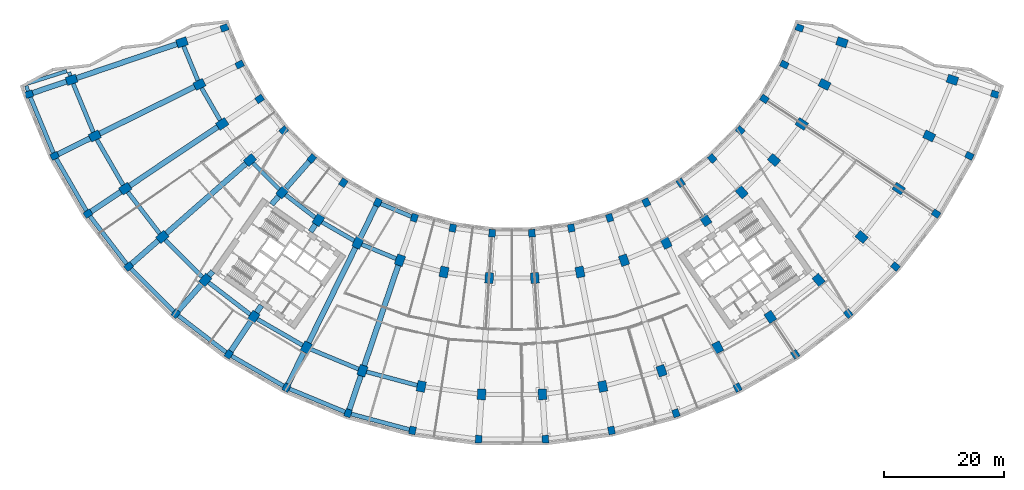
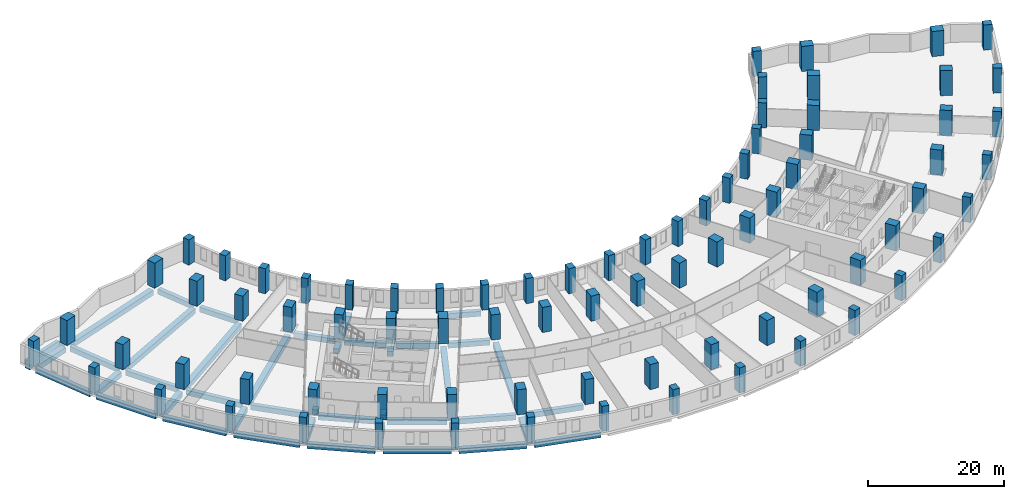
# One storey, part 1 of 19: 80 columns, 46 beams.
"""IFC4 building model written with IfcOpenShell, lengths in metres."""

import ifcopenshell
import ifcopenshell.guid

model = None  # the IFC model being written
_history = None  # IfcOwnerHistory: only IFC2X3 demands one
_inside = {}  # id of a spatial element -> (the spatial element, [elements in it])
_under = {}  # id of a project, library or spatial element -> (it, [spatial elements below it])
_declared = {}  # id of a project -> (the project, [libraries it declares])
_typed = {}  # id of a type object -> (the type object, [elements of that type])
_made_of = {}  # id of a material, layer set ... -> (it, [elements and type objects made of it])


def new_model(schema):
    """Start an empty IFC model of exactly this schema.

    Asked for "IFC4X3", IfcOpenShell would pick the latest addendum, in which some entities
    have other attributes; the version numbers below select the first issue.
    IFC2X3 requires an IfcOwnerHistory on every rooted entity: one is made here for all.
    """
    global model, _history
    if schema == "IFC4X3":
        model = ifcopenshell.file(schema_version=(4, 3, 0, 0))
    else:
        model = ifcopenshell.file(schema=schema)
    _inside.clear()
    _under.clear()
    _declared.clear()
    _typed.clear()
    _made_of.clear()
    _history = None
    if model.schema == "IFC2X3":
        org = make("IfcOrganization", Name="unknown")
        user = make(
            "IfcPersonAndOrganization",
            ThePerson=make("IfcPerson", FamilyName="unknown"),
            TheOrganization=org,
        )
        app = make(
            "IfcApplication",
            ApplicationDeveloper=org,
            Version="unknown",
            ApplicationFullName="unknown",
            ApplicationIdentifier="unknown",
        )
        _history = make(
            "IfcOwnerHistory",
            OwningUser=user,
            OwningApplication=app,
            ChangeAction="ADDED",
            CreationDate=0,
        )
    return model


def make(cls, **values):
    """One entity of the class cls with the attributes given. An attribute that is None is left unset."""
    return model.create_entity(
        cls, **{name: value for name, value in values.items() if value is not None}
    )


def rooted(cls, **values):
    """An entity with a GlobalId (a new one), such as an element, a storey or a relation."""
    return make(cls, GlobalId=ifcopenshell.guid.new(), OwnerHistory=_history, **values)


def si_unit(unit_type, name, prefix=None):
    """IfcSIUnit, for example si_unit("LENGTHUNIT", "METRE", prefix="MILLI")."""
    return make("IfcSIUnit", UnitType=unit_type, Prefix=prefix, Name=name)


def assignment(units):
    """IfcUnitAssignment: the units of a project."""
    return None if units is None else make("IfcUnitAssignment", Units=units)


def point(xyz):
    """IfcCartesianPoint."""
    return None if xyz is None else make("IfcCartesianPoint", Coordinates=xyz)


def direction(xyz):
    """IfcDirection."""
    return None if xyz is None else make("IfcDirection", DirectionRatios=xyz)


def frame(location, z_axis=None, x_axis=None):
    """IfcAxis2Placement3D, a coordinate frame: its origin and axes. An axis left out is left unset."""
    return make(
        "IfcAxis2Placement3D",
        Location=point(location),
        Axis=direction(z_axis),
        RefDirection=direction(x_axis),
    )


def frame_2d(location, x_axis=None):
    """IfcAxis2Placement2D, a coordinate frame in the plane: its origin and x axis."""
    return make(
        "IfcAxis2Placement2D", Location=point(location), RefDirection=direction(x_axis)
    )


def origin():
    """The frame at (0, 0, 0) with its axes left unset."""
    return frame((0.0, 0.0, 0.0))


def origin_2d():
    """The frame at (0, 0) in the plane with its x axis left unset."""
    return frame_2d((0.0, 0.0))


def place(relative_to, where):
    """IfcLocalPlacement: puts the frame where relative to a parent placement (None: the world)."""
    return make(
        "IfcLocalPlacement", PlacementRelTo=relative_to, RelativePlacement=where
    )


def context(
    kind, dimensions, precision=None, world=None, true_north=None, identifier=None
):
    """IfcGeometricRepresentationContext, for example the 3D "Model" context."""
    return make(
        "IfcGeometricRepresentationContext",
        ContextIdentifier=identifier,
        ContextType=kind,
        CoordinateSpaceDimension=dimensions,
        Precision=precision,
        WorldCoordinateSystem=world,
        TrueNorth=true_north,
    )


def subcontext(parent, identifier, kind, view, scale=None):
    """IfcGeometricRepresentationSubContext, for example "Body" below "Model"."""
    return make(
        "IfcGeometricRepresentationSubContext",
        ContextIdentifier=identifier,
        ContextType=kind,
        ParentContext=parent,
        TargetScale=scale,
        TargetView=view,
    )


def project(units=None, contexts=None):
    """IfcProject with its units and contexts."""
    return rooted(
        "IfcProject",
        Name="project",
        RepresentationContexts=contexts,
        UnitsInContext=assignment(units),
    )


def spatial(cls, under=None, at=None, **own):
    """A site, building, storey or space (cls), placed at a placement, below another one or the project."""
    s = rooted(cls, ObjectPlacement=at, **own)
    if under is not None:
        _under.setdefault(under.id(), (under, []))[1].append(s)
    return s


def profile(cls, at=None, kind="AREA", **sizes):
    """A parametric profile (cls). Its sizes go by their IFC names, for example OverallWidth=200.0."""
    return make(cls, ProfileType=kind, Position=at, **sizes)


def rectangle(**sizes):
    """IfcRectangleProfileDef."""
    return profile("IfcRectangleProfileDef", **sizes)


def extrude(swept, where, along, depth):
    """IfcExtrudedAreaSolid: the profile swept, set in the frame where, extruded along a direction by depth."""
    return make(
        "IfcExtrudedAreaSolid",
        SweptArea=swept,
        Position=where,
        ExtrudedDirection=direction(along),
        Depth=depth,
    )


def shape(context_of_items, identifier, shape_type, items):
    """IfcShapeRepresentation: the items that make up one representation, for example the "Body"."""
    return make(
        "IfcShapeRepresentation",
        ContextOfItems=context_of_items,
        RepresentationIdentifier=identifier,
        RepresentationType=shape_type,
        Items=items,
    )


def material(Name=None, Category=None):
    """IfcMaterial."""
    return make("IfcMaterial", Name=Name, Category=Category)


def material_profile(
    of_material, cross_section, Name=None, Category=None, Priority=None
):
    """IfcMaterialProfile: a cross section and its material."""
    return make(
        "IfcMaterialProfile",
        Name=Name,
        Material=of_material,
        Profile=cross_section,
        Priority=Priority,
        Category=Category,
    )


def profile_set(profiles, Name=None, composite=None):
    """IfcMaterialProfileSet."""
    return make(
        "IfcMaterialProfileSet",
        Name=Name,
        MaterialProfiles=profiles,
        CompositeProfile=composite,
    )


def made_of(thing, what):
    """Note that an element or type object is made of a material, layer set ...; save() writes the relation."""
    if what is not None:
        _made_of.setdefault(what.id(), (what, []))[1].append(thing)
    return thing


def type_object(cls, material=None, **own):
    """A type object (cls), such as IfcWallType, which elements share."""
    return made_of(rooted(cls, **own), material)


def element(
    cls,
    number,
    at=None,
    inside=None,
    cuts=None,
    type_object=None,
    material=None,
    context=None,
    identifier="Body",
    shape_type=None,
    held_by="IfcProductDefinitionShape",
    body=None,
    shapes=None,
    **own,
):
    """One element of the class cls, such as IfcWall. Its Tag is "e" and its number.

    at: its placement. inside: the storey or other place that contains it. cuts: it is an
    opening in that element (IfcRelVoidsElement). A single representation is given by context,
    identifier, shape_type and body (its items); several are given by shapes. held_by: the class
    of the entity that holds the representations. save() writes the other relations.
    """
    e = rooted(cls, Tag="e%d" % number, ObjectPlacement=at, **own)
    if body is not None:
        shapes = [shape(context, identifier, shape_type, body)]
    if shapes is not None:
        e.Representation = make(held_by, Representations=shapes)
    if inside is not None:
        _inside.setdefault(inside.id(), (inside, []))[1].append(e)
    if cuts is not None:
        rooted(
            "IfcRelVoidsElement", RelatingBuildingElement=cuts, RelatedOpeningElement=e
        )
    if type_object is not None:
        _typed.setdefault(type_object.id(), (type_object, []))[1].append(e)
    return made_of(e, material)


def aggregate(whole, parts):
    """IfcRelAggregates: a whole, such as a stair, and the parts it consists of."""
    return rooted("IfcRelAggregates", RelatingObject=whole, RelatedObjects=parts)


def save(model, path):
    """Write the relations noted so far, then the file.

    IfcRelAggregates (storeys below a building ...), IfcRelContainedInSpatialStructure (elements
    in a storey), IfcRelDefinesByType, IfcRelAssociatesMaterial and IfcRelDeclares: one each for
    every whole, place, type object, material and project.
    """
    for whole, parts in _under.values():
        aggregate(whole, parts)
    for where, things in _inside.values():
        rooted(
            "IfcRelContainedInSpatialStructure",
            RelatedElements=things,
            RelatingStructure=where,
        )
    for kind, things in _typed.values():
        rooted("IfcRelDefinesByType", RelatedObjects=things, RelatingType=kind)
    for what, things in _made_of.values():
        rooted("IfcRelAssociatesMaterial", RelatedObjects=things, RelatingMaterial=what)
    for by, libraries in _declared.values():
        rooted("IfcRelDeclares", RelatingContext=by, RelatedDefinitions=libraries)
    model.write(path)


model = new_model("IFC4")

# Units and contexts
model_context = context("Model", 3, precision=1e-05, world=origin(), true_north=direction((0.0, 1.0)))
body_context = subcontext(model_context, "Body", "Model", "MODEL_VIEW")
ifc_project = project(units=[si_unit("LENGTHUNIT", "METRE"), si_unit("AREAUNIT", "SQUARE_METRE"), si_unit("VOLUMEUNIT", "CUBIC_METRE"), si_unit("PLANEANGLEUNIT", "RADIAN"), si_unit("MASSUNIT", "GRAM", prefix="KILO")], contexts=[model_context])

# Site, building, storey
site_placement = place(None, origin())
site = spatial("IfcSite", under=ifc_project, at=site_placement, CompositionType="ELEMENT")
building_placement = place(site_placement, origin())
building = spatial("IfcBuilding", under=site, at=building_placement, Name="Qamariyya Broadcast Tower", CompositionType="ELEMENT")
storey_placement = place(building_placement, frame((0.0, 0.0, 36.0)))
storey = spatial("IfcBuildingStorey", under=building, at=storey_placement, Name="L05", CompositionType="ELEMENT", Elevation=36.0)

# Columns
ifc_material_1 = material(Name="Concrete C70/85", Category="concrete")
ifc_material_profile_1 = material_profile(ifc_material_1, rectangle(XDim=1.10009765625, YDim=1.300048828125, at=origin_2d()))
ifc_profile_set_1 = profile_set([ifc_material_profile_1], Name="Concrete C70/85")
column_type_1 = type_object("IfcColumnType", Name="RC column 1100 x 1300 C70/85", PredefinedType="COLUMN", material=ifc_profile_set_1)
for number, where, z_axis, x_axis, name in (
    (1, (-48.056640625, -16.31298828125, 0.0), (0.0, 0.0, 1.0), (0.321439465303, -0.946930129495, 0.0), "Column C3 L05 A-R01"),
    (2, (-80.725830078125, -27.40283203125, 0.0), (0.0, 0.0, 1.0), (0.321439465303, -0.946930129495, 0.0), "Column C3 L05 D-R01"),
    (3, (-45.516357421875, -22.446044921875, 0.0), (0.0, 0.0, 1.0), (0.442288690219, -0.896872741533, 0.0), "Column C3 L05 A-R02"),
    (4, (-76.45849609375, -37.705078125, 0.0), (0.0, 0.0, 1.0), (0.442288690219, -0.896872741533, 0.0), "Column C3 L05 D-R02"),
    (5, (-42.197021484375, -28.195068359375, 0.0), (0.0, 0.0, 1.0), (0.55557023302, -0.831469612303, 0.0), "Column C3 L05 A-R03"),
    (6, (-70.8828125, -47.3623046875, 0.0), (0.0, 0.0, 1.0), (0.55557023302, -0.831469612303, 0.0), "Column C3 L05 D-R03"),
    (7, (-38.15576171875, -33.4619140625, 0.0), (0.0, 0.0, 1.0), (0.6593458151, -0.751839807479, 0.0), "Column C3 L05 A-R04"),
    (8, (-64.09423828125, -56.209228515625, 0.0), (0.0, 0.0, 1.0), (0.6593458151, -0.751839807479, 0.0), "Column C3 L05 D-R04"),
    (9, (-33.4619140625, -38.15576171875, 0.0), (0.0, 0.0, 1.0), (0.751839807479, -0.6593458151, 0.0), "Column C3 L05 A-R05"),
    (10, (-56.209228515625, -64.09423828125, 0.0), (0.0, 0.0, 1.0), (0.751839807479, -0.6593458151, 0.0), "Column C3 L05 D-R05"),
    (11, (-28.195068359375, -42.197021484375, 0.0), (0.0, 0.0, 1.0), (0.831469612303, -0.55557023302, 0.0), "Column C3 L05 A-R06"),
    (12, (-47.3623046875, -70.8828125, 0.0), (0.0, 0.0, 1.0), (0.831469612303, -0.55557023302, 0.0), "Column C3 L05 D-R06"),
    (13, (-22.446044921875, -45.516357421875, 0.0), (0.0, 0.0, 1.0), (0.896872741533, -0.442288690219, 0.0), "Column C3 L05 A-R07"),
    (14, (-37.705078125, -76.45849609375, 0.0), (0.0, 0.0, 1.0), (0.896872741533, -0.442288690219, 0.0), "Column C3 L05 D-R07"),
    (15, (-16.31298828125, -48.056640625, 0.0), (0.0, 0.0, 1.0), (0.946930129495, -0.321439465303, 0.0), "Column C3 L05 A-R08"),
    (16, (-27.40283203125, -80.725830078125, 0.0), (0.0, 0.0, 1.0), (0.946930129495, -0.321439465303, 0.0), "Column C3 L05 D-R08"),
    (17, (-9.90087890625, -49.77490234375, 0.0), (0.0, 0.0, 1.0), (0.980785280403, -0.195090322016, 0.0), "Column C3 L05 A-R09"),
    (18, (-16.63134765625, -83.612060546875, 0.0), (0.0, 0.0, 1.0), (0.980785280403, -0.195090322016, 0.0), "Column C3 L05 D-R09"),
    (19, (-3.319091796875, -50.641357421875, 0.0), (0.0, 0.0, 1.0), (0.997858923239, -0.06540312923, 0.0), "Column C3 L05 A-R10"),
    (20, (-5.57568359375, -85.0673828125, 0.0), (0.0, 0.0, 1.0), (0.997858923239, -0.06540312923, 0.0), "Column C3 L05 D-R10"),
    (21, (3.319091796875, -50.641357421875, 0.0), (0.0, 0.0, 1.0), (0.997858923239, 0.06540312923, 0.0), "Column C3 L05 A-R11"),
    (22, (5.57568359375, -85.0673828125, 0.0), (0.0, 0.0, 1.0), (0.997858923239, 0.06540312923, 0.0), "Column C3 L05 D-R11"),
    (23, (9.90087890625, -49.77490234375, 0.0), (0.0, 0.0, 1.0), (0.980785280403, 0.195090322016, 0.0), "Column C3 L05 A-R12"),
    (24, (16.63134765625, -83.612060546875, 0.0), (0.0, 0.0, 1.0), (0.980785280403, 0.195090322016, 0.0), "Column C3 L05 D-R12"),
    (25, (16.31298828125, -48.056640625, 0.0), (0.0, 0.0, 1.0), (0.946930129495, 0.321439465303, 0.0), "Column C3 L05 A-R13"),
    (26, (27.40283203125, -80.725830078125, 0.0), (0.0, 0.0, 1.0), (0.946930129495, 0.321439465303, 0.0), "Column C3 L05 D-R13"),
    (27, (22.446044921875, -45.516357421875, 0.0), (0.0, 0.0, 1.0), (0.896872741533, 0.442288690219, 0.0), "Column C3 L05 A-R14"),
    (28, (37.705078125, -76.45849609375, 0.0), (0.0, 0.0, 1.0), (0.896872741533, 0.442288690219, 0.0), "Column C3 L05 D-R14"),
    (29, (28.195068359375, -42.197021484375, 0.0), (0.0, 0.0, 1.0), (0.831469612303, 0.55557023302, 0.0), "Column C3 L05 A-R15"),
    (30, (47.3623046875, -70.8828125, 0.0), (0.0, 0.0, 1.0), (0.831469612303, 0.55557023302, 0.0), "Column C3 L05 D-R15"),
    (31, (33.4619140625, -38.15576171875, 0.0), (0.0, 0.0, 1.0), (0.751839807479, 0.6593458151, 0.0), "Column C3 L05 A-R16"),
    (32, (56.209228515625, -64.09423828125, 0.0), (0.0, 0.0, 1.0), (0.751839807479, 0.6593458151, 0.0), "Column C3 L05 D-R16"),
    (33, (38.15576171875, -33.4619140625, 0.0), (0.0, 0.0, 1.0), (0.6593458151, 0.751839807479, 0.0), "Column C3 L05 A-R17"),
    (34, (64.09423828125, -56.209228515625, 0.0), (0.0, 0.0, 1.0), (0.6593458151, 0.751839807479, 0.0), "Column C3 L05 D-R17"),
    (35, (42.197021484375, -28.195068359375, 0.0), (0.0, 0.0, 1.0), (0.55557023302, 0.831469612303, 0.0), "Column C3 L05 A-R18"),
    (36, (70.8828125, -47.3623046875, 0.0), (0.0, 0.0, 1.0), (0.55557023302, 0.831469612303, 0.0), "Column C3 L05 D-R18"),
    (37, (45.516357421875, -22.446044921875, 0.0), (0.0, 0.0, 1.0), (0.442288690219, 0.896872741533, 0.0), "Column C3 L05 A-R19"),
    (38, (76.45849609375, -37.705078125, 0.0), (0.0, 0.0, 1.0), (0.442288690219, 0.896872741533, 0.0), "Column C3 L05 D-R19"),
    (39, (48.056640625, -16.31298828125, 0.0), (0.0, 0.0, 1.0), (0.321439465303, 0.946930129495, 0.0), "Column C3 L05 A-R20"),
    (40, (80.725830078125, -27.40283203125, 0.0), (0.0, 0.0, 1.0), (0.321439465303, 0.946930129495, 0.0), "Column C3 L05 D-R20"),
):
    element("IfcColumn", number, at=place(storey_placement, frame(where, z_axis=z_axis, x_axis=x_axis)), inside=storey, type_object=column_type_1, Name=name, PredefinedType="COLUMN", context=body_context, shape_type="SweptSolid", body=[
        extrude(rectangle(XDim=1.10009765625, YDim=1.300048828125, at=origin_2d()), origin(), (0.0, 0.0, 1.0), 4.5),
    ])
ifc_material_profile_2 = material_profile(ifc_material_1, rectangle(XDim=1.39990234375, YDim=1.800048828125, at=origin_2d()))
ifc_profile_set_2 = profile_set([ifc_material_profile_2], Name="Concrete C70/85")
column_type_2 = type_object("IfcColumnType", Name="RC column 1400 x 1800 C70/85", PredefinedType="COLUMN", material=ifc_profile_set_2)
for number, where, z_axis, x_axis, name in (
    (41, (-55.15869140625, -18.723876953125, 0.0), (0.0, 0.0, 1.0), (0.321439465303, -0.946930129495, 0.0), "Column C4 L05 B-R01"),
    (42, (-73.623779296875, -24.991943359375, 0.0), (0.0, 0.0, 1.0), (0.321439465303, -0.946930129495, 0.0), "Column C4 L05 C-R01"),
    (43, (-52.242919921875, -25.763427734375, 0.0), (0.0, 0.0, 1.0), (0.442288690219, -0.896872741533, 0.0), "Column C4 L05 B-R02"),
    (44, (-69.73193359375, -34.387939453125, 0.0), (0.0, 0.0, 1.0), (0.442288690219, -0.896872741533, 0.0), "Column C4 L05 C-R02"),
    (45, (-48.43310546875, -32.362060546875, 0.0), (0.0, 0.0, 1.0), (0.55557023302, -0.831469612303, 0.0), "Column C4 L05 B-R03"),
    (46, (-64.646728515625, -43.195556640625, 0.0), (0.0, 0.0, 1.0), (0.55557023302, -0.831469612303, 0.0), "Column C4 L05 C-R03"),
    (47, (-43.794677734375, -38.406982421875, 0.0), (0.0, 0.0, 1.0), (0.6593458151, -0.751839807479, 0.0), "Column C4 L05 B-R04"),
    (48, (-58.45556640625, -51.26416015625, 0.0), (0.0, 0.0, 1.0), (0.6593458151, -0.751839807479, 0.0), "Column C4 L05 C-R04"),
    (49, (-38.406982421875, -43.794677734375, 0.0), (0.0, 0.0, 1.0), (0.751839807479, -0.6593458151, 0.0), "Column C4 L05 B-R05"),
    (50, (-51.26416015625, -58.45556640625, 0.0), (0.0, 0.0, 1.0), (0.751839807479, -0.6593458151, 0.0), "Column C4 L05 C-R05"),
    (51, (-32.362060546875, -48.43310546875, 0.0), (0.0, 0.0, 1.0), (0.831469612303, -0.55557023302, 0.0), "Column C4 L05 B-R06"),
    (52, (-43.195556640625, -64.646728515625, 0.0), (0.0, 0.0, 1.0), (0.831469612303, -0.55557023302, 0.0), "Column C4 L05 C-R06"),
    (53, (-25.763427734375, -52.242919921875, 0.0), (0.0, 0.0, 1.0), (0.896872741533, -0.442288690219, 0.0), "Column C4 L05 B-R07"),
    (54, (-34.387939453125, -69.73193359375, 0.0), (0.0, 0.0, 1.0), (0.896872741533, -0.442288690219, 0.0), "Column C4 L05 C-R07"),
    (55, (-18.723876953125, -55.15869140625, 0.0), (0.0, 0.0, 1.0), (0.946930129495, -0.321439465303, 0.0), "Column C4 L05 B-R08"),
    (56, (-24.991943359375, -73.623779296875, 0.0), (0.0, 0.0, 1.0), (0.946930129495, -0.321439465303, 0.0), "Column C4 L05 C-R08"),
    (57, (-11.364013671875, -57.130859375, 0.0), (0.0, 0.0, 1.0), (0.980785280403, -0.195090322016, 0.0), "Column C4 L05 B-R09"),
    (58, (-15.168212890625, -76.256103515625, 0.0), (0.0, 0.0, 1.0), (0.980785280403, -0.195090322016, 0.0), "Column C4 L05 C-R09"),
    (59, (-3.809814453125, -58.125244140625, 0.0), (0.0, 0.0, 1.0), (0.997858923239, -0.06540312923, 0.0), "Column C4 L05 B-R10"),
    (60, (-5.085205078125, -77.58349609375, 0.0), (0.0, 0.0, 1.0), (0.997858923239, -0.06540312923, 0.0), "Column C4 L05 C-R10"),
    (61, (3.809814453125, -58.125244140625, 0.0), (0.0, 0.0, 1.0), (0.997858923239, 0.06540312923, 0.0), "Column C4 L05 B-R11"),
    (62, (5.085205078125, -77.58349609375, 0.0), (0.0, 0.0, 1.0), (0.997858923239, 0.06540312923, 0.0), "Column C4 L05 C-R11"),
    (63, (11.364013671875, -57.130859375, 0.0), (0.0, 0.0, 1.0), (0.980785280403, 0.195090322016, 0.0), "Column C4 L05 B-R12"),
    (64, (15.168212890625, -76.256103515625, 0.0), (0.0, 0.0, 1.0), (0.980785280403, 0.195090322016, 0.0), "Column C4 L05 C-R12"),
    (65, (18.723876953125, -55.15869140625, 0.0), (0.0, 0.0, 1.0), (0.946930129495, 0.321439465303, 0.0), "Column C4 L05 B-R13"),
    (66, (24.991943359375, -73.623779296875, 0.0), (0.0, 0.0, 1.0), (0.946930129495, 0.321439465303, 0.0), "Column C4 L05 C-R13"),
    (67, (25.763427734375, -52.242919921875, 0.0), (0.0, 0.0, 1.0), (0.896872741533, 0.442288690219, 0.0), "Column C4 L05 B-R14"),
    (68, (34.387939453125, -69.73193359375, 0.0), (0.0, 0.0, 1.0), (0.896872741533, 0.442288690219, 0.0), "Column C4 L05 C-R14"),
    (69, (32.362060546875, -48.43310546875, 0.0), (0.0, 0.0, 1.0), (0.831469612303, 0.55557023302, 0.0), "Column C4 L05 B-R15"),
    (70, (43.195556640625, -64.646728515625, 0.0), (0.0, 0.0, 1.0), (0.831469612303, 0.55557023302, 0.0), "Column C4 L05 C-R15"),
    (71, (38.406982421875, -43.794677734375, 0.0), (0.0, 0.0, 1.0), (0.751839807479, 0.6593458151, 0.0), "Column C4 L05 B-R16"),
    (72, (51.26416015625, -58.45556640625, 0.0), (0.0, 0.0, 1.0), (0.751839807479, 0.6593458151, 0.0), "Column C4 L05 C-R16"),
    (73, (43.794677734375, -38.406982421875, 0.0), (0.0, 0.0, 1.0), (0.6593458151, 0.751839807479, 0.0), "Column C4 L05 B-R17"),
    (74, (58.45556640625, -51.26416015625, 0.0), (0.0, 0.0, 1.0), (0.6593458151, 0.751839807479, 0.0), "Column C4 L05 C-R17"),
    (75, (48.43310546875, -32.362060546875, 0.0), (0.0, 0.0, 1.0), (0.55557023302, 0.831469612303, 0.0), "Column C4 L05 B-R18"),
    (76, (64.646728515625, -43.195556640625, 0.0), (0.0, 0.0, 1.0), (0.55557023302, 0.831469612303, 0.0), "Column C4 L05 C-R18"),
    (77, (52.242919921875, -25.763427734375, 0.0), (0.0, 0.0, 1.0), (0.442288690219, 0.896872741533, 0.0), "Column C4 L05 B-R19"),
    (78, (69.73193359375, -34.387939453125, 0.0), (0.0, 0.0, 1.0), (0.442288690219, 0.896872741533, 0.0), "Column C4 L05 C-R19"),
    (79, (55.15869140625, -18.723876953125, 0.0), (0.0, 0.0, 1.0), (0.321439465303, 0.946930129495, 0.0), "Column C4 L05 B-R20"),
    (80, (73.623779296875, -24.991943359375, 0.0), (0.0, 0.0, 1.0), (0.321439465303, 0.946930129495, 0.0), "Column C4 L05 C-R20"),
):
    element("IfcColumn", number, at=place(storey_placement, frame(where, z_axis=z_axis, x_axis=x_axis)), inside=storey, type_object=column_type_2, Name=name, PredefinedType="COLUMN", context=body_context, shape_type="SweptSolid", body=[
        extrude(rectangle(XDim=1.39990234375, YDim=1.800048828125, at=origin_2d()), origin(), (0.0, 0.0, 1.0), 4.5),
    ])

# Beams
ifc_material_2 = material(Name="Concrete C50/60", Category="concrete")
ifc_material_profile_3 = material_profile(ifc_material_2, rectangle(XDim=0.699951171875, YDim=0.89990234375, at=origin_2d()))
ifc_profile_set_3 = profile_set([ifc_material_profile_3], Name="Concrete C50/60")
beam_type_1 = type_object("IfcBeamType", Name="RC edge beam 700 x 900 C50/60", PredefinedType="SPANDREL", material=ifc_profile_set_3)
beam_1_placement = place(storey_placement, frame((-21.93701171875, -45.727294921875, -0.85009765625), z_axis=(0.92389160204, -0.382654292645, 0.0), x_axis=(0.382654292645, 0.92389160204, 0.0)))
element("IfcBeam", 81, at=beam_1_placement, inside=storey, type_object=beam_type_1, Name="Edge beam B2 L05 A R07-R08", PredefinedType="SPANDREL", context=body_context, shape_type="SweptSolid", body=[
    extrude(rectangle(XDim=0.699951171875, YDim=0.89990234375, at=origin_2d()), origin(), (0.0, 0.0, 1.0), 5.5361328125),
])
for number, where, z_axis, x_axis, name in (
    (82, (-54.89013671875, -19.3720703125, -0.85009765625), (0.38268477858, -0.92387897489, 0.0), (0.92387897489, 0.38268477858, 0.0), "Edge beam B2 L05 B R01-R02"),
    (83, (-51.89208984375, -26.370849609375, -0.85009765625), (0.499995558535, -0.86602796805, 0.0), (0.86602796805, 0.499995558535, 0.0), "Edge beam B2 L05 B R02-R03"),
):
    element("IfcBeam", number, at=place(storey_placement, frame(where, z_axis=z_axis, x_axis=x_axis)), inside=storey, type_object=beam_type_1, Name=name, PredefinedType="SPANDREL", context=body_context, shape_type="SweptSolid", body=[
        extrude(rectangle(XDim=0.699951171875, YDim=0.89990234375, at=origin_2d()), origin(), (0.0, 0.0, 1.0), 6.21630859375),
    ])
for number, where, z_axis, x_axis, name in (
    (84, (-43.298583984375, -38.90283203125, -0.85009765625), (0.707106781187, -0.707106781187, 0.0), (0.707106781187, 0.707106781187, 0.0), "Edge beam B2 L05 B R04-R05"),
    (85, (-37.850341796875, -44.2216796875, -0.85009765625), (0.793349024913, -0.608767052878, 0.0), (0.608767052878, 0.793349024913, 0.0), "Edge beam B2 L05 B R05-R06"),
):
    element("IfcBeam", number, at=place(storey_placement, frame(where, z_axis=z_axis, x_axis=x_axis)), inside=storey, type_object=beam_type_1, Name=name, PredefinedType="SPANDREL", context=body_context, shape_type="SweptSolid", body=[
        extrude(rectangle(XDim=0.699951171875, YDim=0.89990234375, at=origin_2d()), origin(), (0.0, 0.0, 1.0), 6.216552734375),
    ])
for number, where, z_axis, x_axis, name in (
    (86, (-31.75439453125, -48.783935546875, -0.85009765625), (0.86602796805, -0.499995558535, 0.0), (0.499995558535, 0.86602796805, 0.0), "Edge beam B2 L05 B R06-R07"),
    (87, (-25.115234375, -52.51123046875, -0.85009765625), (0.92387897489, -0.38268477858, 0.0), (0.38268477858, 0.92387897489, 0.0), "Edge beam B2 L05 B R07-R08"),
):
    element("IfcBeam", number, at=place(storey_placement, frame(where, z_axis=z_axis, x_axis=x_axis)), inside=storey, type_object=beam_type_1, Name=name, PredefinedType="SPANDREL", context=body_context, shape_type="SweptSolid", body=[
        extrude(rectangle(XDim=0.699951171875, YDim=0.89990234375, at=origin_2d()), origin(), (0.0, 0.0, 1.0), 6.21630859375),
    ])
beam_2_placement = place(storey_placement, frame((-73.35546875, -25.64013671875, -0.85009765625), z_axis=(0.38270841035, -0.923869185896, 0.0), x_axis=(0.923869185896, 0.38270841035, 0.0)))
element("IfcBeam", 88, at=beam_2_placement, inside=storey, type_object=beam_type_1, Name="Edge beam B2 L05 C R01-R02", PredefinedType="SPANDREL", context=body_context, shape_type="SweptSolid", body=[
    extrude(rectangle(XDim=0.699951171875, YDim=0.89990234375, at=origin_2d()), origin(), (0.0, 0.0, 1.0), 8.76708984375),
])
beam_3_placement = place(storey_placement, frame((-69.381103515625, -34.995361328125, -0.85009765625), z_axis=(0.499987607361, -0.86603255856, 0.0), x_axis=(0.86603255856, 0.499987607361, 0.0)))
element("IfcBeam", 89, at=beam_3_placement, inside=storey, type_object=beam_type_1, Name="Edge beam B2 L05 C R02-R03", PredefinedType="SPANDREL", context=body_context, shape_type="SweptSolid", body=[
    extrude(rectangle(XDim=0.699951171875, YDim=0.89990234375, at=origin_2d()), origin(), (0.0, 0.0, 1.0), 8.767333984375),
])
for number, where, z_axis, x_axis, name in (
    (90, (-64.2197265625, -43.752197265625, -0.85009765625), (0.608772321187, -0.79334498231, 0.0), (0.79334498231, 0.608772321187, 0.0), "Edge beam B2 L05 C R03-R04"),
    (91, (-57.95947265625, -51.76025390625, -0.85009765625), (0.707106781187, -0.707106781187, 0.0), (0.707106781187, 0.707106781187, 0.0), "Edge beam B2 L05 C R04-R05"),
    (92, (-50.70751953125, -58.882568359375, -0.85009765625), (0.79334498231, -0.608772321187, 0.0), (0.608772321187, 0.79334498231, 0.0), "Edge beam B2 L05 C R05-R06"),
):
    element("IfcBeam", number, at=place(storey_placement, frame(where, z_axis=z_axis, x_axis=x_axis)), inside=storey, type_object=beam_type_1, Name=name, PredefinedType="SPANDREL", context=body_context, shape_type="SweptSolid", body=[
        extrude(rectangle(XDim=0.699951171875, YDim=0.89990234375, at=origin_2d()), origin(), (0.0, 0.0, 1.0), 8.76708984375),
    ])
beam_4_placement = place(storey_placement, frame((-42.588134765625, -64.99755859375, -0.85009765625), z_axis=(0.86603255856, -0.499987607361, 0.0), x_axis=(0.499987607361, 0.86603255856, 0.0)))
element("IfcBeam", 93, at=beam_4_placement, inside=storey, type_object=beam_type_1, Name="Edge beam B2 L05 C R06-R07", PredefinedType="SPANDREL", context=body_context, shape_type="SweptSolid", body=[
    extrude(rectangle(XDim=0.699951171875, YDim=0.89990234375, at=origin_2d()), origin(), (0.0, 0.0, 1.0), 8.767333984375),
])
for number, where, z_axis, x_axis, name in (
    (94, (-33.73974609375, -70.000244140625, -0.85009765625), (0.923869185896, -0.38270841035, 0.0), (0.38270841035, 0.923869185896, 0.0), "Edge beam B2 L05 C R07-R08"),
    (95, (-24.314208984375, -73.805419921875, -0.85009765625), (0.965926422845, -0.258816818714, 0.0), (0.258816818714, 0.965926422845, 0.0), "Edge beam B2 L05 C R08-R09"),
):
    element("IfcBeam", number, at=place(storey_placement, frame(where, z_axis=z_axis, x_axis=x_axis)), inside=storey, type_object=beam_type_1, Name=name, PredefinedType="SPANDREL", context=body_context, shape_type="SweptSolid", body=[
        extrude(rectangle(XDim=0.699951171875, YDim=0.89990234375, at=origin_2d()), origin(), (0.0, 0.0, 1.0), 8.76708984375),
    ])
for number, where, z_axis, x_axis, name in (
    (96, (-80.514892578125, -27.911865234375, -0.85009765625), (0.382677229034, -0.923882101991, 0.0), (0.923882101991, 0.382677229034, 0.0), "Edge beam B2 L05 D R01-R02"),
    (97, (-76.182861328125, -38.182373046875, -0.85009765625), (0.499995851058, -0.866027799164, 0.0), (0.866027799164, 0.499995851058, 0.0), "Edge beam B2 L05 D R02-R03"),
):
    element("IfcBeam", number, at=place(storey_placement, frame(where, z_axis=z_axis, x_axis=x_axis)), inside=storey, type_object=beam_type_1, Name=name, PredefinedType="SPANDREL", context=body_context, shape_type="SweptSolid", body=[
        extrude(rectangle(XDim=0.699951171875, YDim=0.89990234375, at=origin_2d()), origin(), (0.0, 0.0, 1.0), 10.048828125),
    ])
for number, where, z_axis, x_axis, name in (
    (98, (-70.54736328125, -47.799560546875, -0.85009765625), (0.608760468816, -0.793354077072, 0.0), (0.793354077072, 0.608760468816, 0.0), "Edge beam B2 L05 D R03-R04"),
    (99, (-63.70458984375, -56.598876953125, -0.85009765625), (0.707106781187, -0.707106781187, 0.0), (0.707106781187, 0.707106781187, 0.0), "Edge beam B2 L05 D R04-R05"),
    (100, (-55.77197265625, -64.429931640625, -0.85009765625), (0.793354077072, -0.608760468816, 0.0), (0.608760468816, 0.793354077072, 0.0), "Edge beam B2 L05 D R05-R06"),
):
    element("IfcBeam", number, at=place(storey_placement, frame(where, z_axis=z_axis, x_axis=x_axis)), inside=storey, type_object=beam_type_1, Name=name, PredefinedType="SPANDREL", context=body_context, shape_type="SweptSolid", body=[
        extrude(rectangle(XDim=0.699951171875, YDim=0.89990234375, at=origin_2d()), origin(), (0.0, 0.0, 1.0), 10.049072265625),
    ])
for number, where, z_axis, x_axis, name in (
    (101, (-46.885009765625, -71.158447265625, -0.85009765625), (0.866027799164, -0.499995851058, 0.0), (0.499995851058, 0.866027799164, 0.0), "Edge beam B2 L05 D R06-R07"),
    (102, (-37.19580078125, -76.66943359375, -0.85009765625), (0.923882101991, -0.382677229034, 0.0), (0.382677229034, 0.923882101991, 0.0), "Edge beam B2 L05 D R07-R08"),
    (103, (-26.870361328125, -80.868408203125, -0.85009765625), (0.96592657939, -0.258816234475, 0.0), (0.258816234475, 0.96592657939, 0.0), "Edge beam B2 L05 D R08-R09"),
):
    element("IfcBeam", number, at=place(storey_placement, frame(where, z_axis=z_axis, x_axis=x_axis)), inside=storey, type_object=beam_type_1, Name=name, PredefinedType="SPANDREL", context=body_context, shape_type="SweptSolid", body=[
        extrude(rectangle(XDim=0.699951171875, YDim=0.89990234375, at=origin_2d()), origin(), (0.0, 0.0, 1.0), 10.048828125),
    ])
ifc_material_profile_4 = material_profile(ifc_material_2, rectangle(XDim=0.60009765625, YDim=0.89990234375, at=origin_2d()))
ifc_profile_set_4 = profile_set([ifc_material_profile_4], Name="Concrete C50/60")
beam_type_2 = type_object("IfcBeamType", Name="RC horn beam 600 x 900 C50/60", PredefinedType="BEAM", material=ifc_profile_set_4)
beam_5_placement = place(storey_placement, frame((-73.841796875, -24.32666015625, -0.85009765625), z_axis=(-0.311677221784, 0.95018803898, 0.0), x_axis=(-0.95018803898, -0.311677221784, 0.0)))
element("IfcBeam", 104, at=beam_5_placement, inside=storey, type_object=beam_type_2, Name="Horn beam B3 L05 W C-R01", PredefinedType="BEAM", context=body_context, shape_type="SweptSolid", body=[
    extrude(rectangle(XDim=0.60009765625, YDim=0.89990234375, at=origin_2d()), origin(), (0.0, 0.0, 1.0), 0.628173828125),
])
beam_6_placement = place(storey_placement, frame((-80.897216796875, -26.880126953125, -0.85009765625), z_axis=(-0.31136908678, 0.95028905697, 0.0), x_axis=(-0.95028905697, -0.31136908678, 0.0)))
element("IfcBeam", 105, at=beam_6_placement, inside=storey, type_object=beam_type_2, Name="Horn beam B3 L05 W D-R01", PredefinedType="BEAM", context=body_context, shape_type="SweptSolid", body=[
    extrude(rectangle(XDim=0.60009765625, YDim=0.89990234375, at=origin_2d()), origin(), (0.0, 0.0, 1.0), 0.935302734375),
])
ifc_material_profile_5 = material_profile(ifc_material_2, rectangle(XDim=0.60009765625, YDim=0.89990234375, at=origin_2d()))
ifc_profile_set_5 = profile_set([ifc_material_profile_5], Name="Concrete C50/60")
beam_type_3 = type_object("IfcBeamType", Name="RC horn cap beam 600 x 900 C50/60", PredefinedType="BEAM", material=ifc_profile_set_5)
beam_7_placement = place(storey_placement, frame((-74.4169921875, -23.53515625, -0.85009765625), z_axis=(-0.953456380288, -0.301530978321, 0.0), x_axis=(0.301530978321, -0.953456380288, 0.0)))
element("IfcBeam", 106, at=beam_7_placement, inside=storey, type_object=beam_type_3, Name="Horn cap beam B4 L05 W C-D", PredefinedType="BEAM", context=body_context, shape_type="SweptSolid", body=[
    extrude(rectangle(XDim=0.60009765625, YDim=0.89990234375, at=origin_2d()), origin(), (0.0, 0.0, 1.0), 6.89990234375),
])
ifc_material_profile_6 = material_profile(ifc_material_2, rectangle(XDim=0.89990234375, YDim=0.89990234375, at=origin_2d()))
ifc_profile_set_6 = profile_set([ifc_material_profile_6], Name="Concrete C50/60")
beam_type_4 = type_object("IfcBeamType", Name="RC radial beam 900 x 900 C50/60", PredefinedType="BEAM", material=ifc_profile_set_6)
beam_8_placement = place(storey_placement, frame((-56.010986328125, -19.01318359375, -0.85009765625), z_axis=(-0.946929601856, -0.321441019674, 0.0), x_axis=(0.321441019674, -0.946929601856, 0.0)))
element("IfcBeam", 107, at=beam_8_placement, inside=storey, type_object=beam_type_4, Name="Radial beam B1 L05 R01 B-C", PredefinedType="BEAM", context=body_context, shape_type="SweptSolid", body=[
    extrude(rectangle(XDim=0.89990234375, YDim=0.89990234375, at=origin_2d()), origin(), (0.0, 0.0, 1.0), 17.699951171875),
])
beam_9_placement = place(storey_placement, frame((-74.47607421875, -25.28125, -0.85009765625), z_axis=(-0.946929197619, -0.32144221051, 0.0), x_axis=(0.32144221051, -0.946929197619, 0.0)))
element("IfcBeam", 108, at=beam_9_placement, inside=storey, type_object=beam_type_4, Name="Radial beam B1 L05 R01 C-D", PredefinedType="BEAM", context=body_context, shape_type="SweptSolid", body=[
    extrude(rectangle(XDim=0.89990234375, YDim=0.89990234375, at=origin_2d()), origin(), (0.0, 0.0, 1.0), 5.949951171875),
])
beam_10_placement = place(storey_placement, frame((-53.050048828125, -26.161376953125, -0.85009765625), z_axis=(-0.896868921808, -0.442296435771, 0.0), x_axis=(0.442296435771, -0.896868921808, 0.0)))
element("IfcBeam", 109, at=beam_10_placement, inside=storey, type_object=beam_type_4, Name="Radial beam B1 L05 R02 B-C", PredefinedType="BEAM", context=body_context, shape_type="SweptSolid", body=[
    extrude(rectangle(XDim=0.89990234375, YDim=0.89990234375, at=origin_2d()), origin(), (0.0, 0.0, 1.0), 17.699951171875),
])
beam_11_placement = place(storey_placement, frame((-70.5390625, -34.785888671875, -0.85009765625), z_axis=(-0.896859276255, -0.442315994054, 0.0), x_axis=(0.442315994054, -0.896859276255, 0.0)))
element("IfcBeam", 110, at=beam_11_placement, inside=storey, type_object=beam_type_4, Name="Radial beam B1 L05 R02 C-D", PredefinedType="BEAM", context=body_context, shape_type="SweptSolid", body=[
    extrude(rectangle(XDim=0.89990234375, YDim=0.89990234375, at=origin_2d()), origin(), (0.0, 0.0, 1.0), 5.9501953125),
])
beam_12_placement = place(storey_placement, frame((-49.181396484375, -32.862060546875, -0.85009765625), z_axis=(-0.831472648212, -0.555565689433, 0.0), x_axis=(0.555565689433, -0.831472648212, 0.0)))
element("IfcBeam", 111, at=beam_12_placement, inside=storey, type_object=beam_type_4, Name="Radial beam B1 L05 R03 B-C", PredefinedType="BEAM", context=body_context, shape_type="SweptSolid", body=[
    extrude(rectangle(XDim=0.89990234375, YDim=0.89990234375, at=origin_2d()), origin(), (0.0, 0.0, 1.0), 17.699951171875),
])
beam_13_placement = place(storey_placement, frame((-65.39501953125, -43.695556640625, -0.85009765625), z_axis=(-0.831469080044, -0.555571029599, 0.0), x_axis=(0.555571029599, -0.831469080044, 0.0)))
element("IfcBeam", 112, at=beam_13_placement, inside=storey, type_object=beam_type_4, Name="Radial beam B1 L05 R03 C-D", PredefinedType="BEAM", context=body_context, shape_type="SweptSolid", body=[
    extrude(rectangle(XDim=0.89990234375, YDim=0.89990234375, at=origin_2d()), origin(), (0.0, 0.0, 1.0), 5.949951171875),
])
beam_14_placement = place(storey_placement, frame((-44.471435546875, -39.000244140625, -0.85009765625), z_axis=(-0.751835404461, -0.659350835746, 0.0), x_axis=(0.659350835746, -0.751835404461, 0.0)))
element("IfcBeam", 113, at=beam_14_placement, inside=storey, type_object=beam_type_4, Name="Radial beam B1 L05 R04 B-C", PredefinedType="BEAM", context=body_context, shape_type="SweptSolid", body=[
    extrude(rectangle(XDim=0.89990234375, YDim=0.89990234375, at=origin_2d()), origin(), (0.0, 0.0, 1.0), 17.699951171875),
])
beam_15_placement = place(storey_placement, frame((-59.132080078125, -51.857666015625, -0.85009765625), z_axis=(-0.75185438517, -0.659329192059, 0.0), x_axis=(0.659329192059, -0.75185438517, 0.0)))
element("IfcBeam", 114, at=beam_15_placement, inside=storey, type_object=beam_type_4, Name="Radial beam B1 L05 R04 C-D", PredefinedType="BEAM", context=body_context, shape_type="SweptSolid", body=[
    extrude(rectangle(XDim=0.89990234375, YDim=0.89990234375, at=origin_2d()), origin(), (0.0, 0.0, 1.0), 5.9501953125),
])
beam_16_placement = place(storey_placement, frame((-33.890380859375, -38.64453125, -0.85009765625), z_axis=(-0.659349532377, -0.751836547498, 0.0), x_axis=(0.751836547498, -0.659349532377, 0.0)))
element("IfcBeam", 115, at=beam_16_placement, inside=storey, type_object=beam_type_4, Name="Radial beam B1 L05 R05 A-B", PredefinedType="BEAM", context=body_context, shape_type="SweptSolid", body=[
    extrude(rectangle(XDim=0.89990234375, YDim=0.89990234375, at=origin_2d()), origin(), (0.0, 0.0, 1.0), 5.949951171875),
])
beam_17_placement = place(storey_placement, frame((-39.000244140625, -44.471435546875, -0.85009765625), z_axis=(-0.65939107141, -0.751800116351, 0.0), x_axis=(0.751800116351, -0.65939107141, 0.0)))
element("IfcBeam", 116, at=beam_17_placement, inside=storey, type_object=beam_type_4, Name="Radial beam B1 L05 R05 B-C", PredefinedType="BEAM", context=body_context, shape_type="SweptSolid", body=[
    extrude(rectangle(XDim=0.89990234375, YDim=0.89990234375, at=origin_2d()), origin(), (0.0, 0.0, 1.0), 1.8125),
])
beam_18_placement = place(storey_placement, frame((-50.011962890625, -57.027587890625, -0.85009765625), z_axis=(-0.659282746956, -0.751895112077, 0.0), x_axis=(0.751895112077, -0.659282746956, 0.0)))
element("IfcBeam", 117, at=beam_18_placement, inside=storey, type_object=beam_type_4, Name="Radial beam B1 L05 R05 B-C", PredefinedType="BEAM", context=body_context, shape_type="SweptSolid", body=[
    extrude(rectangle(XDim=0.89990234375, YDim=0.89990234375, at=origin_2d()), origin(), (0.0, 0.0, 1.0), 0.9990234375),
])
beam_19_placement = place(storey_placement, frame((-51.857666015625, -59.132080078125, -0.85009765625), z_axis=(-0.659329192059, -0.75185438517, 0.0), x_axis=(0.75185438517, -0.659329192059, 0.0)))
element("IfcBeam", 118, at=beam_19_placement, inside=storey, type_object=beam_type_4, Name="Radial beam B1 L05 R05 C-D", PredefinedType="BEAM", context=body_context, shape_type="SweptSolid", body=[
    extrude(rectangle(XDim=0.89990234375, YDim=0.89990234375, at=origin_2d()), origin(), (0.0, 0.0, 1.0), 5.9501953125),
])
beam_20_placement = place(storey_placement, frame((-32.862060546875, -49.181396484375, -0.85009765625), z_axis=(-0.555469378272, -0.831536992443, 0.0), x_axis=(0.831536992443, -0.555469378272, 0.0)))
element("IfcBeam", 119, at=beam_20_placement, inside=storey, type_object=beam_type_4, Name="Radial beam B1 L05 R06 B-C", PredefinedType="BEAM", context=body_context, shape_type="SweptSolid", body=[
    extrude(rectangle(XDim=0.89990234375, YDim=0.89990234375, at=origin_2d()), origin(), (0.0, 0.0, 1.0), 1.464599609375),
])
beam_21_placement = place(storey_placement, frame((-41.89990234375, -62.707763671875, -0.85009765625), z_axis=(-0.555604740558, -0.831446554067, 0.0), x_axis=(0.831446554067, -0.555604740558, 0.0)))
element("IfcBeam", 120, at=beam_21_placement, inside=storey, type_object=beam_type_4, Name="Radial beam B1 L05 R06 B-C", PredefinedType="BEAM", context=body_context, shape_type="SweptSolid", body=[
    extrude(rectangle(XDim=0.89990234375, YDim=0.89990234375, at=origin_2d()), origin(), (0.0, 0.0, 1.0), 1.43212890625),
])
beam_22_placement = place(storey_placement, frame((-43.695556640625, -65.39501953125, -0.85009765625), z_axis=(-0.555571029599, -0.831469080044, 0.0), x_axis=(0.831469080044, -0.555571029599, 0.0)))
element("IfcBeam", 121, at=beam_22_placement, inside=storey, type_object=beam_type_4, Name="Radial beam B1 L05 R06 C-D", PredefinedType="BEAM", context=body_context, shape_type="SweptSolid", body=[
    extrude(rectangle(XDim=0.89990234375, YDim=0.89990234375, at=origin_2d()), origin(), (0.0, 0.0, 1.0), 5.949951171875),
])
beam_23_placement = place(storey_placement, frame((-22.733642578125, -46.099365234375, -0.85009765625), z_axis=(-0.442299266236, -0.896867525941, 0.0), x_axis=(0.896867525941, -0.442299266236, 0.0)))
element("IfcBeam", 122, at=beam_23_placement, inside=storey, type_object=beam_type_4, Name="Radial beam B1 L05 R07 A-B", PredefinedType="BEAM", context=body_context, shape_type="SweptSolid", body=[
    extrude(rectangle(XDim=0.89990234375, YDim=0.89990234375, at=origin_2d()), origin(), (0.0, 0.0, 1.0), 5.94970703125),
])
beam_24_placement = place(storey_placement, frame((-26.161376953125, -53.050048828125, -0.85009765625), z_axis=(-0.442296435771, -0.896868921808, 0.0), x_axis=(0.896868921808, -0.442296435771, 0.0)))
element("IfcBeam", 123, at=beam_24_placement, inside=storey, type_object=beam_type_4, Name="Radial beam B1 L05 R07 B-C", PredefinedType="BEAM", context=body_context, shape_type="SweptSolid", body=[
    extrude(rectangle(XDim=0.89990234375, YDim=0.89990234375, at=origin_2d()), origin(), (0.0, 0.0, 1.0), 17.699951171875),
])
beam_25_placement = place(storey_placement, frame((-34.785888671875, -70.5390625, -0.85009765625), z_axis=(-0.442315994054, -0.896859276255, 0.0), x_axis=(0.896859276255, -0.442315994054, 0.0)))
element("IfcBeam", 124, at=beam_25_placement, inside=storey, type_object=beam_type_4, Name="Radial beam B1 L05 R07 C-D", PredefinedType="BEAM", context=body_context, shape_type="SweptSolid", body=[
    extrude(rectangle(XDim=0.89990234375, YDim=0.89990234375, at=origin_2d()), origin(), (0.0, 0.0, 1.0), 5.9501953125),
])
beam_26_placement = place(storey_placement, frame((-19.01318359375, -56.010986328125, -0.85009765625), z_axis=(-0.321441019674, -0.946929601856, 0.0), x_axis=(0.946929601856, -0.321441019674, 0.0)))
element("IfcBeam", 125, at=beam_26_placement, inside=storey, type_object=beam_type_4, Name="Radial beam B1 L05 R08 B-C", PredefinedType="BEAM", context=body_context, shape_type="SweptSolid", body=[
    extrude(rectangle(XDim=0.89990234375, YDim=0.89990234375, at=origin_2d()), origin(), (0.0, 0.0, 1.0), 17.699951171875),
])
beam_27_placement = place(storey_placement, frame((-25.28125, -74.47607421875, -0.85009765625), z_axis=(-0.32144221051, -0.946929197619, 0.0), x_axis=(0.946929197619, -0.32144221051, 0.0)))
element("IfcBeam", 126, at=beam_27_placement, inside=storey, type_object=beam_type_4, Name="Radial beam B1 L05 R08 C-D", PredefinedType="BEAM", context=body_context, shape_type="SweptSolid", body=[
    extrude(rectangle(XDim=0.89990234375, YDim=0.89990234375, at=origin_2d()), origin(), (0.0, 0.0, 1.0), 5.949951171875),
])

save(model, "model.ifc")
